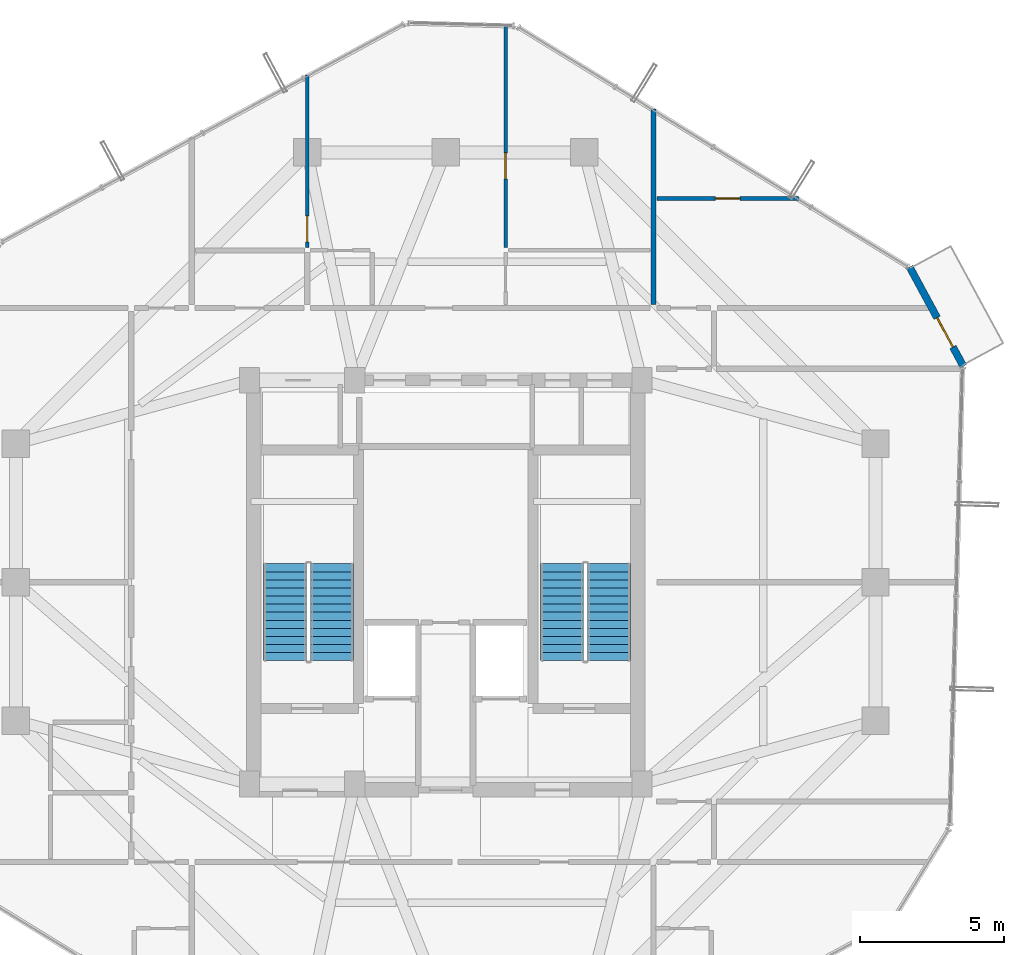
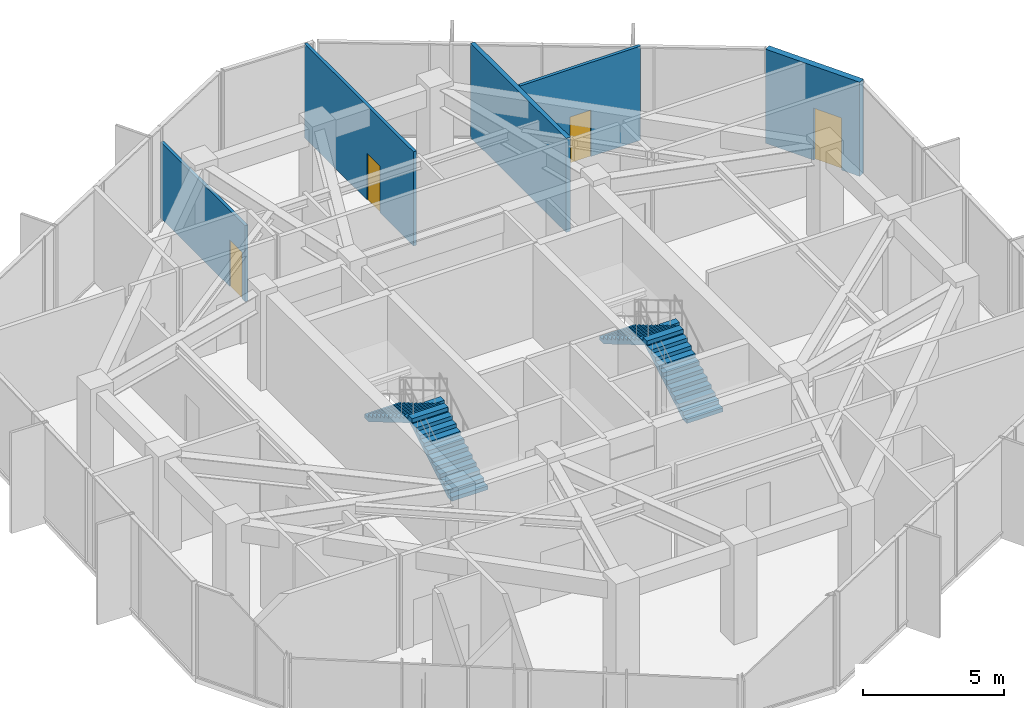
# One storey, part 20 of 22: 5 walls, 4 doors, 4 stair flights, 4 openings, 2 elements without a shape of their own.
"""IFC4 building model written with IfcOpenShell, lengths in metres."""

from ifc_helpers import new_model, si_unit, direction, frame, frame_2d, origin, place, context, subcontext, project, spatial, polyline, rectangle, outline, extrude, source, transform, mapped, material, layer, layer_set, type_object, element, fill, aggregate, save


model = new_model("IFC4")

# Units and contexts
model_context = context("Model", 3, precision=1e-05, world=origin(), true_north=direction((0.0, 1.0)))
body_context = subcontext(model_context, "Body", "Model", "MODEL_VIEW")
ifc_project = project(units=[si_unit("LENGTHUNIT", "METRE"), si_unit("AREAUNIT", "SQUARE_METRE"), si_unit("VOLUMEUNIT", "CUBIC_METRE"), si_unit("PLANEANGLEUNIT", "RADIAN"), si_unit("MASSUNIT", "GRAM", prefix="KILO")], contexts=[model_context])

# Site, building, storey
site_placement = place(None, origin())
site = spatial("IfcSite", under=ifc_project, at=site_placement, CompositionType="ELEMENT")
building_placement = place(site_placement, origin())
building = spatial("IfcBuilding", under=site, at=building_placement, Name="Veraguas Prism Commons", CompositionType="ELEMENT")
storey_placement = place(building_placement, frame((0.0, 0.0, 211.35009765625)))
storey = spatial("IfcBuildingStorey", under=building, at=storey_placement, Name="L60", CompositionType="ELEMENT", Elevation=211.35009765625)

# Wall
ifc_material_1 = material(Name="Autoclaved aerated masonry block 10 MPa", Category="masonry")
ifc_layer_1 = layer(ifc_material_1, 0.179931640625, Name="Corridor and Inter-Tenancy Partition 180", Category="masonry")
ifc_layer_set_1 = layer_set([ifc_layer_1], Name="Autoclaved aerated masonry block 10 MPa")
wall_type_1 = type_object("IfcWallType", Name="Corridor and Inter-Tenancy Partition 180", PredefinedType="PARTITIONING", material=ifc_layer_set_1)
wall_1_placement = place(storey_placement, frame((31.199951171875, 33.6201171875, 0.0), z_axis=(0.0, 0.0, 1.0), x_axis=(0.0, 1.0, 0.0)))
element("IfcWall", 1, at=wall_1_placement, inside=storey, type_object=wall_type_1, Name="WL-L60-PT006", PredefinedType="PARTITIONING", context=body_context, shape_type="SweptSolid", body=[
    extrude(rectangle(XDim=6.778076171875, YDim=0.179931640625, at=frame_2d((3.38916015625, 0.0))), origin(), (0.0, 0.0, 1.0), 4.06494140625),
])

# Wall, opening, door
ifc_material_2 = material(Name="Precast concrete C40/50", Category="concrete")
ifc_layer_2 = layer(ifc_material_2, 0.25, Name="External Loggia and Portal Wall 250", Category="concrete")
ifc_layer_set_2 = layer_set([ifc_layer_2], Name="Precast concrete C40/50")
wall_type_2 = type_object("IfcWallType", Name="External Loggia and Portal Wall 250", PredefinedType="SOLIDWALL", material=ifc_layer_set_2)
wall_2_placement = place(storey_placement, frame((41.943359375, 31.484619140625, 0.0), z_axis=(0.0, 0.0, 1.0), x_axis=(-0.475895309936, 0.879501935178, 0.0)))
wall_2 = element("IfcWall", 2, at=wall_2_placement, inside=storey, type_object=wall_type_2, Name="Corner Loggia Wall L60-C1", PredefinedType="SOLIDWALL", context=body_context, shape_type="SweptSolid", body=[
    extrude(rectangle(XDim=3.914306640625, YDim=0.25, at=frame_2d((1.95703125, 0.0))), origin(), (0.0, 0.0, 1.0), 4.06494140625),
])
opening_1_placement = place(wall_2_placement, frame((0.760009765625, 0.0, 0.0)))
opening_1 = element("IfcOpeningElement", 3, at=opening_1_placement, cuts=wall_2, Name="Opening DR-10", PredefinedType="OPENING", context=body_context, shape_type="SweptSolid", body=[
    extrude(rectangle(XDim=1.14990234375, YDim=2.25, at=frame_2d((0.574951171875, 1.125))), frame((0.0, 0.135009765625, 0.0), z_axis=(0.0, -1.0, 0.0), x_axis=(1.0, 0.0, 0.0)), (0.0, 0.0, 1.0), 0.27001953125),
])
ifc_material_3 = material(Name="Anodised aluminium EN AW-6063 T6", Category="aluminium")
door_type_1 = type_object("IfcDoorType", Name="Glazed Loggia and Terrace Door 1150x2250", OperationType="NOTDEFINED", PredefinedType="DOOR", material=ifc_material_3)
shared_shape_1 = source(origin(), body_context, "Body", "SweptSolid", [
    extrude(rectangle(XDim=1.14990234375, YDim=2.25, at=frame_2d((0.574951171875, 1.125))), frame((0.0, 0.02490234375, 0.0), z_axis=(0.0, -1.0, 0.0), x_axis=(1.0, 0.0, 0.0)), (0.0, 0.0, 1.0), 0.050048828125),
])
door_1_placement = place(opening_1_placement, frame((1.14990234375, 0.0, 0.0), z_axis=(0.0, 0.0, 1.0), x_axis=(-1.0, 0.0, 0.0)))
door_1 = element("IfcDoor", 4, at=door_1_placement, inside=storey, type_object=door_type_1, Name="Recessed Loggia Door L60-C1", OperationType="SINGLE_SWING_RIGHT", OverallHeight=2.25, OverallWidth=1.14990234375, PredefinedType="DOOR", context=body_context, shape_type="MappedRepresentation", body=[
    mapped(shared_shape_1, transform((0.0, 0.0, 0.0), scale=1.0)),
])
fill(opening_1, door_1)

ifc_material_4 = material(Name="Lightweight acoustic gypsum board")
ifc_layer_3 = layer(ifc_material_4, 0.125, Name="Internal Apartment Room Partition 125")
ifc_layer_set_3 = layer_set([ifc_layer_3], Name="Lightweight acoustic gypsum board")
wall_type_3 = type_object("IfcWallType", Name="Internal Apartment Room Partition 125", PredefinedType="PARTITIONING", material=ifc_layer_set_3)
wall_3_placement = place(storey_placement, frame((19.199951171875, 35.60009765625, 0.0), z_axis=(0.0, 0.0, 1.0), x_axis=(0.0, 1.0, 0.0)))
wall_3 = element("IfcWall", 5, at=wall_3_placement, inside=storey, type_object=wall_type_3, Name="WL-L60-PT011", PredefinedType="PARTITIONING", context=body_context, shape_type="SweptSolid", body=[
    extrude(rectangle(XDim=5.9736328125, YDim=0.125, at=frame_2d((2.98681640625, 0.0))), origin(), (0.0, 0.0, 1.0), 3.285888671875),
])
opening_2_placement = place(wall_3_placement, frame((0.199951171875, 0.0, 0.0)))
opening_2 = element("IfcOpeningElement", 6, at=opening_2_placement, cuts=wall_3, Name="Opening DR-02", PredefinedType="OPENING", context=body_context, shape_type="SweptSolid", body=[
    extrude(rectangle(XDim=0.89990234375, YDim=2.010009765625, at=frame_2d((0.449951171875, 1.0048828125))), frame((0.0, 0.072509765625, 0.0), z_axis=(0.0, -1.0, 0.0), x_axis=(1.0, 0.0, 0.0)), (0.0, 0.0, 1.0), 0.14501953125),
])
ifc_material_5 = material(Name="Timber solid core hardwood", Category="wood")
door_type_2 = type_object("IfcDoorType", Name="Internal Habitable Room Door 900x2010", OperationType="NOTDEFINED", PredefinedType="DOOR", material=ifc_material_5)
shared_shape_2 = source(origin(), body_context, "Body", "SweptSolid", [
    extrude(rectangle(XDim=0.89990234375, YDim=2.010009765625, at=frame_2d((0.449951171875, 1.0048828125))), frame((0.0, 0.02490234375, 0.0), z_axis=(0.0, -1.0, 0.0), x_axis=(1.0, 0.0, 0.0)), (0.0, 0.0, 1.0), 0.050048828125),
])
door_2_placement = place(opening_2_placement, origin())
door_2 = element("IfcDoor", 7, at=door_2_placement, inside=storey, type_object=door_type_2, Name="Flat 60A Bedroom 2 Door", OperationType="SINGLE_SWING_RIGHT", OverallHeight=2.010009765625, OverallWidth=0.89990234375, PredefinedType="DOOR", context=body_context, shape_type="MappedRepresentation", body=[
    mapped(shared_shape_2, transform((0.0, 0.0, 0.0), scale=1.0)),
])
fill(opening_2, door_2)

wall_4_placement = place(storey_placement, frame((26.080078125, 35.60009765625, 0.0), z_axis=(0.0, 0.0, 1.0), x_axis=(0.0, 1.0, 0.0)))
wall_4 = element("IfcWall", 8, at=wall_4_placement, inside=storey, type_object=wall_type_3, Name="WL-L60-PT016", PredefinedType="PARTITIONING", context=body_context, shape_type="SweptSolid", body=[
    extrude(rectangle(XDim=7.722900390625, YDim=0.125, at=frame_2d((3.861328125, 0.0))), origin(), (0.0, 0.0, 1.0), 4.06494140625),
])
opening_3_placement = place(wall_4_placement, frame((2.3837890625, 0.0, 0.0)))
opening_3 = element("IfcOpeningElement", 9, at=opening_3_placement, cuts=wall_4, Name="Opening DR-02", PredefinedType="OPENING", context=body_context, shape_type="SweptSolid", body=[
    extrude(rectangle(XDim=0.89990234375, YDim=2.010009765625, at=frame_2d((0.449951171875, 1.0048828125))), frame((0.0, 0.072509765625, 0.0), z_axis=(0.0, -1.0, 0.0), x_axis=(1.0, 0.0, 0.0)), (0.0, 0.0, 1.0), 0.14501953125),
])
door_3_placement = place(opening_3_placement, origin())
door_3 = element("IfcDoor", 10, at=door_3_placement, inside=storey, type_object=door_type_2, Name="Flat 60A Bedroom 1 Door", OperationType="SINGLE_SWING_LEFT", OverallHeight=2.010009765625, OverallWidth=0.89990234375, PredefinedType="DOOR", context=body_context, shape_type="MappedRepresentation", body=[
    mapped(shared_shape_2, transform((0.0, 0.0, 0.0), scale=1.0)),
])
fill(opening_3, door_3)

wall_5_placement = place(storey_placement, frame((31.320068359375, 37.300048828125, 0.0), z_axis=(0.0, 0.0, 1.0), x_axis=(1.0, 0.0, 0.0)))
wall_5 = element("IfcWall", 11, at=wall_5_placement, inside=storey, type_object=wall_type_3, Name="WL-L60-PT047", PredefinedType="PARTITIONING", context=body_context, shape_type="SweptSolid", body=[
    extrude(rectangle(XDim=4.919677734375, YDim=0.125, at=frame_2d((2.4599609375, 0.0))), origin(), (0.0, 0.0, 1.0), 4.06494140625),
])
opening_4_placement = place(wall_5_placement, frame((2.02978515625, 0.0, 0.0)))
opening_4 = element("IfcOpeningElement", 12, at=opening_4_placement, cuts=wall_5, Name="Opening DR-03", PredefinedType="OPENING", context=body_context, shape_type="SweptSolid", body=[
    extrude(rectangle(XDim=0.860107421875, YDim=2.010009765625, at=frame_2d((0.43017578125, 1.0048828125))), frame((0.0, 0.072509765625, 0.0), z_axis=(0.0, -1.0, 0.0), x_axis=(1.0, 0.0, 0.0)), (0.0, 0.0, 1.0), 0.14501953125),
])
ifc_material_6 = material(Name="Timber moisture-resistant leaf", Category="wood")
door_type_3 = type_object("IfcDoorType", Name="Internal Bathroom Door 860x2010", OperationType="NOTDEFINED", PredefinedType="DOOR", material=ifc_material_6)
shared_shape_3 = source(origin(), body_context, "Body", "SweptSolid", [
    extrude(rectangle(XDim=0.860107421875, YDim=2.010009765625, at=frame_2d((0.43017578125, 1.0048828125))), frame((0.0, 0.02490234375, 0.0), z_axis=(0.0, -1.0, 0.0), x_axis=(1.0, 0.0, 0.0)), (0.0, 0.0, 1.0), 0.050048828125),
])
door_4_placement = place(opening_4_placement, origin())
door_4 = element("IfcDoor", 13, at=door_4_placement, inside=storey, type_object=door_type_3, Name="Corner Store NE Door", OperationType="SINGLE_SWING_RIGHT", OverallHeight=2.010009765625, OverallWidth=0.860107421875, PredefinedType="DOOR", context=body_context, shape_type="MappedRepresentation", body=[
    mapped(shared_shape_3, transform((0.0, 0.0, 0.0), scale=1.0)),
])
fill(opening_4, door_4)

# Stair, stair flights
ifc_material_7 = material(Name="Precast concrete C45/55", Category="concrete")
stair_type = type_object("IfcStairType", Name="Dogleg Core Stair 1480W 26R 06", PredefinedType="HALF_TURN_STAIR", material=ifc_material_7)
stair_1_placement = place(storey_placement, origin())
stair_1 = element("IfcStair", 14, at=stair_1_placement, inside=storey, type_object=stair_type, Name="Protected Exit Stair ST-01 L60", PredefinedType="HALF_TURN_STAIR")
stair_flight_type = type_object("IfcStairFlightType", Name="Precast Stair Flight 1480W 13R 06", PredefinedType="STRAIGHT", material=ifc_material_7)
stair_flight_1_placement = place(storey_placement, frame((20.06005859375, 21.280029296875, 0.0), z_axis=(0.0, 0.0, 1.0), x_axis=(0.0, 1.0, 0.0)))
stair_flight_1 = element("IfcStairFlight", 15, at=stair_flight_1_placement, type_object=stair_flight_type, Name="ST-06 Flight 1", NumberOfRisers=13, NumberOfTreads=12, PredefinedType="STRAIGHT", RiserHeight=0.165384615, TreadLength=0.28, context=body_context, shape_type="SweptSolid", body=[
    extrude(outline(polyline([(0.0, 0.0), (0.0, 0.165283203125), (0.280029296875, 0.165283203125), (0.280029296875, 0.330810546875), (0.56005859375, 0.330810546875), (0.56005859375, 0.49609375), (0.840087890625, 0.49609375), (0.840087890625, 0.66162109375), (1.1201171875, 0.66162109375), (1.1201171875, 0.826904296875), (1.39990234375, 0.826904296875), (1.39990234375, 0.9921875), (1.679931640625, 0.9921875), (1.679931640625, 1.15771484375), (1.9599609375, 1.15771484375), (1.9599609375, 1.322998046875), (2.239990234375, 1.322998046875), (2.239990234375, 1.488525390625), (2.52001953125, 1.488525390625), (2.52001953125, 1.65380859375), (2.800048828125, 1.65380859375), (2.800048828125, 1.8193359375), (3.080078125, 1.8193359375), (3.080078125, 1.984619140625), (3.360107421875, 1.984619140625), (3.360107421875, 2.14990234375), (3.360107421875, 1.810546875), (0.294677734375, 0.0), (0.0, 0.0)])), frame((0.0, 0.739990234375, 0.0), z_axis=(0.0, -1.0, 0.0), x_axis=(1.0, 0.0, 0.0)), (0.0, 0.0, 1.0), 1.47998046875),
])
stair_flight_2_placement = place(storey_placement, frame((18.429931640625, 24.639892578125, 2.14990234375), z_axis=(0.0, 0.0, 1.0), x_axis=(0.0, -1.0, 0.0)))
stair_flight_2 = element("IfcStairFlight", 16, at=stair_flight_2_placement, type_object=stair_flight_type, Name="ST-06 Flight 2", NumberOfRisers=13, NumberOfTreads=12, PredefinedType="STRAIGHT", RiserHeight=0.165384615, TreadLength=0.28, context=body_context, shape_type="SweptSolid", body=[
    extrude(outline(polyline([(0.0, 0.0), (0.0, 0.165283203125), (0.280029296875, 0.165283203125), (0.280029296875, 0.330810546875), (0.56005859375, 0.330810546875), (0.56005859375, 0.49609375), (0.840087890625, 0.49609375), (0.840087890625, 0.66162109375), (1.1201171875, 0.66162109375), (1.1201171875, 0.826904296875), (1.39990234375, 0.826904296875), (1.39990234375, 0.9921875), (1.679931640625, 0.9921875), (1.679931640625, 1.15771484375), (1.9599609375, 1.15771484375), (1.9599609375, 1.322998046875), (2.239990234375, 1.322998046875), (2.239990234375, 1.488525390625), (2.52001953125, 1.488525390625), (2.52001953125, 1.65380859375), (2.800048828125, 1.65380859375), (2.800048828125, 1.8193359375), (3.080078125, 1.8193359375), (3.080078125, 1.984619140625), (3.360107421875, 1.984619140625), (3.360107421875, 2.14990234375), (3.360107421875, 1.810546875), (0.294677734375, 0.0), (0.0, 0.0)])), frame((0.0, 0.739990234375, 0.0), z_axis=(0.0, -1.0, 0.0), x_axis=(1.0, 0.0, 0.0)), (0.0, 0.0, 1.0), 1.47998046875),
])
aggregate(stair_1, [stair_flight_1, stair_flight_2])

stair_2_placement = place(storey_placement, origin())
stair_2 = element("IfcStair", 17, at=stair_2_placement, inside=storey, type_object=stair_type, Name="Protected Exit Stair ST-02 L60", PredefinedType="HALF_TURN_STAIR")
stair_flight_3_placement = place(storey_placement, frame((29.659912109375, 21.280029296875, 0.0), z_axis=(0.0, 0.0, 1.0), x_axis=(0.0, 1.0, 0.0)))
stair_flight_3 = element("IfcStairFlight", 18, at=stair_flight_3_placement, type_object=stair_flight_type, Name="ST-06 Flight 1", NumberOfRisers=13, NumberOfTreads=12, PredefinedType="STRAIGHT", RiserHeight=0.165384615, TreadLength=0.28, context=body_context, shape_type="SweptSolid", body=[
    extrude(outline(polyline([(0.0, 0.0), (0.0, 0.165283203125), (0.280029296875, 0.165283203125), (0.280029296875, 0.330810546875), (0.56005859375, 0.330810546875), (0.56005859375, 0.49609375), (0.840087890625, 0.49609375), (0.840087890625, 0.66162109375), (1.1201171875, 0.66162109375), (1.1201171875, 0.826904296875), (1.39990234375, 0.826904296875), (1.39990234375, 0.9921875), (1.679931640625, 0.9921875), (1.679931640625, 1.15771484375), (1.9599609375, 1.15771484375), (1.9599609375, 1.322998046875), (2.239990234375, 1.322998046875), (2.239990234375, 1.488525390625), (2.52001953125, 1.488525390625), (2.52001953125, 1.65380859375), (2.800048828125, 1.65380859375), (2.800048828125, 1.8193359375), (3.080078125, 1.8193359375), (3.080078125, 1.984619140625), (3.360107421875, 1.984619140625), (3.360107421875, 2.14990234375), (3.360107421875, 1.810546875), (0.294677734375, 0.0), (0.0, 0.0)])), frame((0.0, 0.739990234375, 0.0), z_axis=(0.0, -1.0, 0.0), x_axis=(1.0, 0.0, 0.0)), (0.0, 0.0, 1.0), 1.47998046875),
])
stair_flight_4_placement = place(storey_placement, frame((28.030029296875, 24.639892578125, 2.14990234375), z_axis=(0.0, 0.0, 1.0), x_axis=(0.0, -1.0, 0.0)))
stair_flight_4 = element("IfcStairFlight", 19, at=stair_flight_4_placement, type_object=stair_flight_type, Name="ST-06 Flight 2", NumberOfRisers=13, NumberOfTreads=12, PredefinedType="STRAIGHT", RiserHeight=0.165384615, TreadLength=0.28, context=body_context, shape_type="SweptSolid", body=[
    extrude(outline(polyline([(0.0, 0.0), (0.0, 0.165283203125), (0.280029296875, 0.165283203125), (0.280029296875, 0.330810546875), (0.56005859375, 0.330810546875), (0.56005859375, 0.49609375), (0.840087890625, 0.49609375), (0.840087890625, 0.66162109375), (1.1201171875, 0.66162109375), (1.1201171875, 0.826904296875), (1.39990234375, 0.826904296875), (1.39990234375, 0.9921875), (1.679931640625, 0.9921875), (1.679931640625, 1.15771484375), (1.9599609375, 1.15771484375), (1.9599609375, 1.322998046875), (2.239990234375, 1.322998046875), (2.239990234375, 1.488525390625), (2.52001953125, 1.488525390625), (2.52001953125, 1.65380859375), (2.800048828125, 1.65380859375), (2.800048828125, 1.8193359375), (3.080078125, 1.8193359375), (3.080078125, 1.984619140625), (3.360107421875, 1.984619140625), (3.360107421875, 2.14990234375), (3.360107421875, 1.810546875), (0.294677734375, 0.0), (0.0, 0.0)])), frame((0.0, 0.739990234375, 0.0), z_axis=(0.0, -1.0, 0.0), x_axis=(1.0, 0.0, 0.0)), (0.0, 0.0, 1.0), 1.47998046875),
])
aggregate(stair_2, [stair_flight_3, stair_flight_4])

save(model, "model.ifc")
